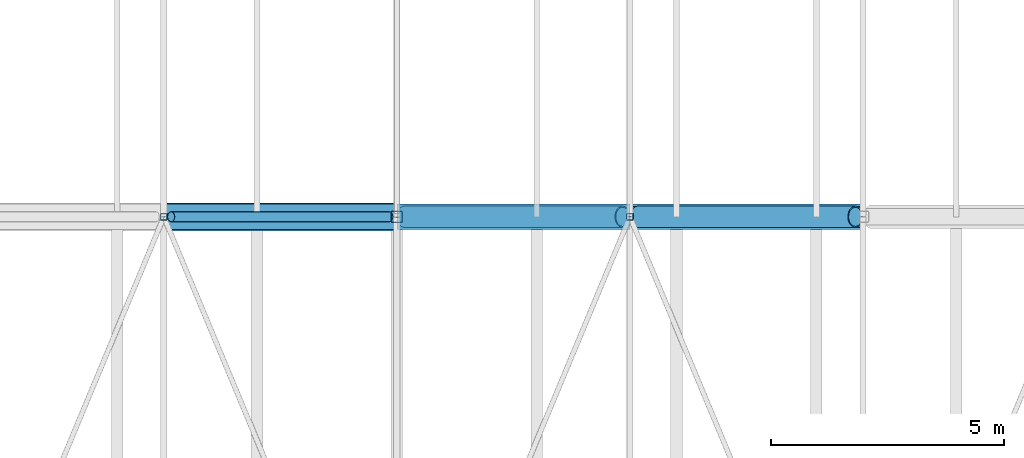
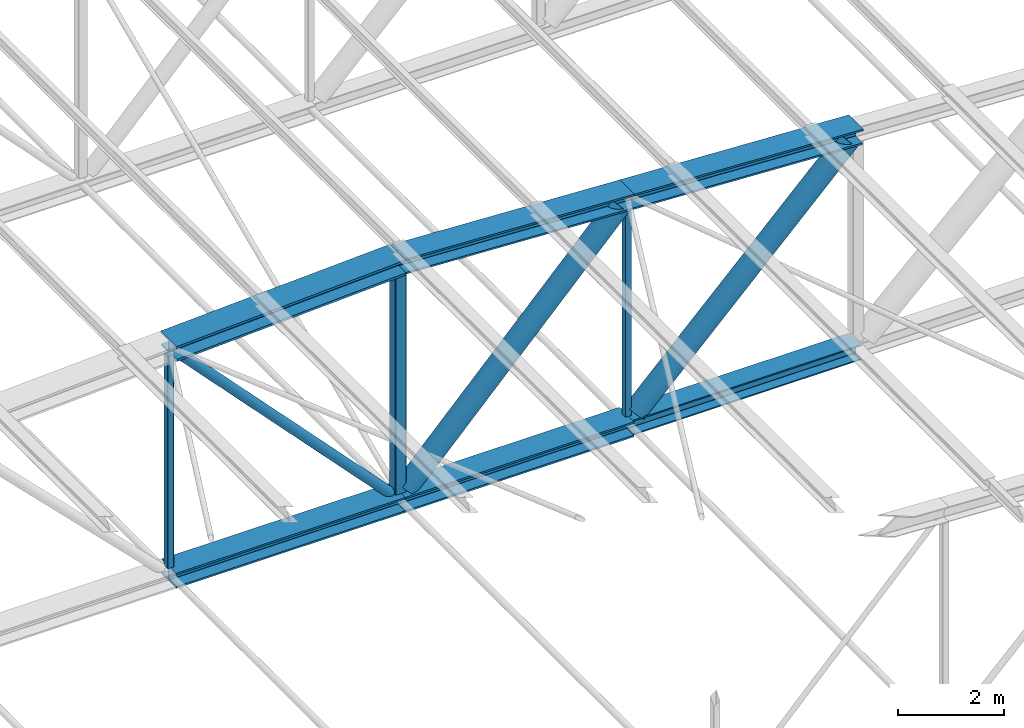
# One storey, part 72 of 156: 12 members.
"""IFC4 building model written with IfcOpenShell, lengths in metres."""

import ifcopenshell
import ifcopenshell.guid

model = None  # the IFC model being written
_history = None  # IfcOwnerHistory: only IFC2X3 demands one
_inside = {}  # id of a spatial element -> (the spatial element, [elements in it])
_under = {}  # id of a project, library or spatial element -> (it, [spatial elements below it])
_declared = {}  # id of a project -> (the project, [libraries it declares])
_typed = {}  # id of a type object -> (the type object, [elements of that type])
_made_of = {}  # id of a material, layer set ... -> (it, [elements and type objects made of it])


def new_model(schema):
    """Start an empty IFC model of exactly this schema.

    Asked for "IFC4X3", IfcOpenShell would pick the latest addendum, in which some entities
    have other attributes; the version numbers below select the first issue.
    IFC2X3 requires an IfcOwnerHistory on every rooted entity: one is made here for all.
    """
    global model, _history
    if schema == "IFC4X3":
        model = ifcopenshell.file(schema_version=(4, 3, 0, 0))
    else:
        model = ifcopenshell.file(schema=schema)
    _inside.clear()
    _under.clear()
    _declared.clear()
    _typed.clear()
    _made_of.clear()
    _history = None
    if model.schema == "IFC2X3":
        org = make("IfcOrganization", Name="unknown")
        user = make(
            "IfcPersonAndOrganization",
            ThePerson=make("IfcPerson", FamilyName="unknown"),
            TheOrganization=org,
        )
        app = make(
            "IfcApplication",
            ApplicationDeveloper=org,
            Version="unknown",
            ApplicationFullName="unknown",
            ApplicationIdentifier="unknown",
        )
        _history = make(
            "IfcOwnerHistory",
            OwningUser=user,
            OwningApplication=app,
            ChangeAction="ADDED",
            CreationDate=0,
        )
    return model


def make(cls, **values):
    """One entity of the class cls with the attributes given. An attribute that is None is left unset."""
    return model.create_entity(
        cls, **{name: value for name, value in values.items() if value is not None}
    )


def rooted(cls, **values):
    """An entity with a GlobalId (a new one), such as an element, a storey or a relation."""
    return make(cls, GlobalId=ifcopenshell.guid.new(), OwnerHistory=_history, **values)


def si_unit(unit_type, name, prefix=None):
    """IfcSIUnit, for example si_unit("LENGTHUNIT", "METRE", prefix="MILLI")."""
    return make("IfcSIUnit", UnitType=unit_type, Prefix=prefix, Name=name)


def assignment(units):
    """IfcUnitAssignment: the units of a project."""
    return None if units is None else make("IfcUnitAssignment", Units=units)


def point(xyz):
    """IfcCartesianPoint."""
    return None if xyz is None else make("IfcCartesianPoint", Coordinates=xyz)


def direction(xyz):
    """IfcDirection."""
    return None if xyz is None else make("IfcDirection", DirectionRatios=xyz)


def frame(location, z_axis=None, x_axis=None):
    """IfcAxis2Placement3D, a coordinate frame: its origin and axes. An axis left out is left unset."""
    return make(
        "IfcAxis2Placement3D",
        Location=point(location),
        Axis=direction(z_axis),
        RefDirection=direction(x_axis),
    )


def frame_2d(location, x_axis=None):
    """IfcAxis2Placement2D, a coordinate frame in the plane: its origin and x axis."""
    return make(
        "IfcAxis2Placement2D", Location=point(location), RefDirection=direction(x_axis)
    )


def origin():
    """The frame at (0, 0, 0) with its axes left unset."""
    return frame((0.0, 0.0, 0.0))


def origin_2d():
    """The frame at (0, 0) in the plane with its x axis left unset."""
    return frame_2d((0.0, 0.0))


def place(relative_to, where):
    """IfcLocalPlacement: puts the frame where relative to a parent placement (None: the world)."""
    return make(
        "IfcLocalPlacement", PlacementRelTo=relative_to, RelativePlacement=where
    )


def context(
    kind, dimensions, precision=None, world=None, true_north=None, identifier=None
):
    """IfcGeometricRepresentationContext, for example the 3D "Model" context."""
    return make(
        "IfcGeometricRepresentationContext",
        ContextIdentifier=identifier,
        ContextType=kind,
        CoordinateSpaceDimension=dimensions,
        Precision=precision,
        WorldCoordinateSystem=world,
        TrueNorth=true_north,
    )


def subcontext(parent, identifier, kind, view, scale=None):
    """IfcGeometricRepresentationSubContext, for example "Body" below "Model"."""
    return make(
        "IfcGeometricRepresentationSubContext",
        ContextIdentifier=identifier,
        ContextType=kind,
        ParentContext=parent,
        TargetScale=scale,
        TargetView=view,
    )


def project(units=None, contexts=None):
    """IfcProject with its units and contexts."""
    return rooted(
        "IfcProject",
        Name="project",
        RepresentationContexts=contexts,
        UnitsInContext=assignment(units),
    )


def spatial(cls, under=None, at=None, **own):
    """A site, building, storey or space (cls), placed at a placement, below another one or the project."""
    s = rooted(cls, ObjectPlacement=at, **own)
    if under is not None:
        _under.setdefault(under.id(), (under, []))[1].append(s)
    return s


def profile(cls, at=None, kind="AREA", **sizes):
    """A parametric profile (cls). Its sizes go by their IFC names, for example OverallWidth=200.0."""
    return make(cls, ProfileType=kind, Position=at, **sizes)


def hollow_rectangle(**sizes):
    """IfcRectangleHollowProfileDef."""
    return profile("IfcRectangleHollowProfileDef", **sizes)


def hollow_circle(**sizes):
    """IfcCircleHollowProfileDef."""
    return profile("IfcCircleHollowProfileDef", **sizes)


def i_section(**sizes):
    """IfcIShapeProfileDef."""
    return profile("IfcIShapeProfileDef", **sizes)


def extrude(swept, where, along, depth):
    """IfcExtrudedAreaSolid: the profile swept, set in the frame where, extruded along a direction by depth."""
    return make(
        "IfcExtrudedAreaSolid",
        SweptArea=swept,
        Position=where,
        ExtrudedDirection=direction(along),
        Depth=depth,
    )


def shape(context_of_items, identifier, shape_type, items):
    """IfcShapeRepresentation: the items that make up one representation, for example the "Body"."""
    return make(
        "IfcShapeRepresentation",
        ContextOfItems=context_of_items,
        RepresentationIdentifier=identifier,
        RepresentationType=shape_type,
        Items=items,
    )


def material(Name=None, Category=None):
    """IfcMaterial."""
    return make("IfcMaterial", Name=Name, Category=Category)


def material_profile(
    of_material, cross_section, Name=None, Category=None, Priority=None
):
    """IfcMaterialProfile: a cross section and its material."""
    return make(
        "IfcMaterialProfile",
        Name=Name,
        Material=of_material,
        Profile=cross_section,
        Priority=Priority,
        Category=Category,
    )


def profile_set(profiles, Name=None, composite=None):
    """IfcMaterialProfileSet."""
    return make(
        "IfcMaterialProfileSet",
        Name=Name,
        MaterialProfiles=profiles,
        CompositeProfile=composite,
    )


def made_of(thing, what):
    """Note that an element or type object is made of a material, layer set ...; save() writes the relation."""
    if what is not None:
        _made_of.setdefault(what.id(), (what, []))[1].append(thing)
    return thing


def type_object(cls, material=None, **own):
    """A type object (cls), such as IfcWallType, which elements share."""
    return made_of(rooted(cls, **own), material)


def element(
    cls,
    number,
    at=None,
    inside=None,
    cuts=None,
    type_object=None,
    material=None,
    context=None,
    identifier="Body",
    shape_type=None,
    held_by="IfcProductDefinitionShape",
    body=None,
    shapes=None,
    **own,
):
    """One element of the class cls, such as IfcWall. Its Tag is "e" and its number.

    at: its placement. inside: the storey or other place that contains it. cuts: it is an
    opening in that element (IfcRelVoidsElement). A single representation is given by context,
    identifier, shape_type and body (its items); several are given by shapes. held_by: the class
    of the entity that holds the representations. save() writes the other relations.
    """
    e = rooted(cls, Tag="e%d" % number, ObjectPlacement=at, **own)
    if body is not None:
        shapes = [shape(context, identifier, shape_type, body)]
    if shapes is not None:
        e.Representation = make(held_by, Representations=shapes)
    if inside is not None:
        _inside.setdefault(inside.id(), (inside, []))[1].append(e)
    if cuts is not None:
        rooted(
            "IfcRelVoidsElement", RelatingBuildingElement=cuts, RelatedOpeningElement=e
        )
    if type_object is not None:
        _typed.setdefault(type_object.id(), (type_object, []))[1].append(e)
    return made_of(e, material)


def aggregate(whole, parts):
    """IfcRelAggregates: a whole, such as a stair, and the parts it consists of."""
    return rooted("IfcRelAggregates", RelatingObject=whole, RelatedObjects=parts)


def save(model, path):
    """Write the relations noted so far, then the file.

    IfcRelAggregates (storeys below a building ...), IfcRelContainedInSpatialStructure (elements
    in a storey), IfcRelDefinesByType, IfcRelAssociatesMaterial and IfcRelDeclares: one each for
    every whole, place, type object, material and project.
    """
    for whole, parts in _under.values():
        aggregate(whole, parts)
    for where, things in _inside.values():
        rooted(
            "IfcRelContainedInSpatialStructure",
            RelatedElements=things,
            RelatingStructure=where,
        )
    for kind, things in _typed.values():
        rooted("IfcRelDefinesByType", RelatedObjects=things, RelatingType=kind)
    for what, things in _made_of.values():
        rooted("IfcRelAssociatesMaterial", RelatedObjects=things, RelatingMaterial=what)
    for by, libraries in _declared.values():
        rooted("IfcRelDeclares", RelatingContext=by, RelatedDefinitions=libraries)
    model.write(path)


model = new_model("IFC4")

# Units and contexts
model_context = context("Model", 3, precision=1e-05, world=origin(), true_north=direction((0.0, 1.0)))
body_context = subcontext(model_context, "Body", "Model", "MODEL_VIEW")
ifc_project = project(units=[si_unit("LENGTHUNIT", "METRE"), si_unit("AREAUNIT", "SQUARE_METRE"), si_unit("VOLUMEUNIT", "CUBIC_METRE"), si_unit("PLANEANGLEUNIT", "RADIAN"), si_unit("MASSUNIT", "GRAM", prefix="KILO")], contexts=[model_context])

# Site, building, storey
site_placement = place(None, origin())
site = spatial("IfcSite", under=ifc_project, at=site_placement, CompositionType="ELEMENT")
building_placement = place(site_placement, origin())
building = spatial("IfcBuilding", under=site, at=building_placement, Name="Lilac Gate Convention Centre", CompositionType="ELEMENT")
storey_placement = place(building_placement, frame((0.0, 0.0, 17.0)))
storey = spatial("IfcBuildingStorey", under=building, at=storey_placement, Name="L03", CompositionType="ELEMENT", Elevation=17.0)

# Members
ifc_material = material(Name="Steel Q355B", Category="steel")
ifc_material_profile_1 = material_profile(ifc_material, i_section(OverallWidth=0.449951171875, OverallDepth=0.35009765625, WebThickness=0.01611328125, FlangeThickness=0.028076171875, FilletRadius=0.008056640625, at=origin_2d()), Name="WH350x450x16x28")
ifc_profile_set_1 = profile_set([ifc_material_profile_1], Name="Steel Q355B")
member_type_1 = type_object("IfcMemberType", Name="Truss bottom chord WH350x450x16x28", PredefinedType="CHORD", material=ifc_profile_set_1)
member_1_placement = place(storey_placement, frame((65.0, 138.0, 0.0), z_axis=(1.0, 0.0, 0.0), x_axis=(0.0, 1.0, 0.0)))
element("IfcMember", 1, at=member_1_placement, inside=storey, type_object=member_type_1, Name="TB4 truss 10 bottom chord 8", PredefinedType="CHORD", context=body_context, shape_type="SweptSolid", body=[
    extrude(i_section(OverallWidth=0.449951171875, OverallDepth=0.35009765625, WebThickness=0.01611328125, FlangeThickness=0.028076171875, FilletRadius=0.008056640625, at=origin_2d()), origin(), (0.0, 0.0, 1.0), 5.0),
])
ifc_material_profile_2 = material_profile(ifc_material, i_section(OverallWidth=0.550048828125, OverallDepth=0.35009765625, WebThickness=0.02001953125, FlangeThickness=0.0400390625, FilletRadius=0.008056640625, at=origin_2d()), Name="WH350x550x20x40")
ifc_profile_set_2 = profile_set([ifc_material_profile_2], Name="Steel Q355B")
member_type_2 = type_object("IfcMemberType", Name="Truss bottom chord WH350x550x20x40", PredefinedType="CHORD", material=ifc_profile_set_2)
for number, where, z_axis, x_axis, name in (
    (2, (55.0, 138.0, 0.0), (1.0, 0.0, 0.0), (0.0, 1.0, 0.0), "TB5 truss 10 bottom chord 6"),
    (3, (60.0, 138.0, 0.0), (1.0, 0.0, 0.0), (0.0, 1.0, 0.0), "TB5 truss 10 bottom chord 7"),
):
    element("IfcMember", number, at=place(storey_placement, frame(where, z_axis=z_axis, x_axis=x_axis)), inside=storey, type_object=member_type_2, Name=name, PredefinedType="CHORD", context=body_context, shape_type="SweptSolid", body=[
        extrude(i_section(OverallWidth=0.550048828125, OverallDepth=0.35009765625, WebThickness=0.02001953125, FlangeThickness=0.0400390625, FilletRadius=0.008056640625, at=origin_2d()), origin(), (0.0, 0.0, 1.0), 5.0),
    ])
ifc_material_profile_3 = material_profile(ifc_material, hollow_circle(Radius=0.109619140625, WallThickness=0.008056640625, at=origin_2d()), Name="CHS219.1x8")
ifc_profile_set_3 = profile_set([ifc_material_profile_3], Name="Steel Q355B")
member_type_3 = type_object("IfcMemberType", Name="Truss diagonal CHS219.1x8", PredefinedType="BRACE", material=ifc_profile_set_3)
member_2_placement = place(storey_placement, frame((55.156494140625, 138.0, 5.085693359375), z_axis=(0.6896515765, 0.0, -0.724141355697), x_axis=(0.0, 1.0, 0.0)))
element("IfcMember", 4, at=member_2_placement, inside=storey, type_object=member_type_3, Name="TW3 truss 10 diagonal 6", PredefinedType="BRACE", context=body_context, shape_type="SweptSolid", body=[
    extrude(hollow_circle(Radius=0.109619140625, WallThickness=0.008056640625, at=origin_2d()), origin(), (0.0, 0.0, 1.0), 6.78125),
])
ifc_material_profile_4 = material_profile(ifc_material, hollow_circle(Radius=0.228515625, WallThickness=0.02490234375, at=origin_2d()), Name="CHS457x25")
ifc_profile_set_4 = profile_set([ifc_material_profile_4], Name="Steel Q355B")
member_type_4 = type_object("IfcMemberType", Name="Truss diagonal CHS457x25", PredefinedType="BRACE", material=ifc_profile_set_4)
member_3_placement = place(storey_placement, frame((64.843505859375, 138.0, 5.085693359375), z_axis=(-0.6896515765, 0.0, -0.724141355697), x_axis=(0.0, -1.0, 0.0)))
element("IfcMember", 5, at=member_3_placement, inside=storey, type_object=member_type_4, Name="TW8 truss 10 diagonal 7", PredefinedType="BRACE", context=body_context, shape_type="SweptSolid", body=[
    extrude(hollow_circle(Radius=0.228515625, WallThickness=0.02490234375, at=origin_2d()), origin(), (0.0, 0.0, 1.0), 6.78125),
])
member_4_placement = place(storey_placement, frame((69.835693359375, 138.0, 4.835693359375), z_axis=(-0.707106781187, 0.0, -0.707106781187), x_axis=(0.0, -1.0, 0.0)))
element("IfcMember", 6, at=member_4_placement, inside=storey, type_object=member_type_4, Name="TW8 truss 10 diagonal 8", PredefinedType="BRACE", context=body_context, shape_type="SweptSolid", body=[
    extrude(hollow_circle(Radius=0.228515625, WallThickness=0.02490234375, at=origin_2d()), origin(), (0.0, 0.0, 1.0), 6.591064453125),
])
ifc_material_profile_5 = material_profile(ifc_material, i_section(OverallWidth=0.550048828125, OverallDepth=0.35009765625, WebThickness=0.02001953125, FlangeThickness=0.0400390625, FilletRadius=0.008056640625, at=origin_2d()), Name="WH350x550x20x40")
ifc_profile_set_5 = profile_set([ifc_material_profile_5], Name="Steel Q355B")
member_type_5 = type_object("IfcMemberType", Name="Truss top chord WH350x550x20x40", PredefinedType="CHORD", material=ifc_profile_set_5)
for number, where, z_axis, x_axis, name in (
    (7, (60.0, 138.0, 5.5), (0.998752338878, 0.0, -0.049937616944), (0.0, 1.0, 0.0), "TT4 truss 10 top chord 7"),
    (8, (65.0, 138.0, 5.25), (0.998752338878, 0.0, -0.049937616944), (0.0, 1.0, 0.0), "TT4 truss 10 top chord 8"),
):
    element("IfcMember", number, at=place(storey_placement, frame(where, z_axis=z_axis, x_axis=x_axis)), inside=storey, type_object=member_type_5, Name=name, PredefinedType="CHORD", context=body_context, shape_type="SweptSolid", body=[
        extrude(i_section(OverallWidth=0.550048828125, OverallDepth=0.35009765625, WebThickness=0.02001953125, FlangeThickness=0.0400390625, FilletRadius=0.008056640625, at=origin_2d()), origin(), (0.0, 0.0, 1.0), 5.00634765625),
    ])
ifc_material_profile_6 = material_profile(ifc_material, i_section(OverallWidth=0.60009765625, OverallDepth=0.35009765625, WebThickness=0.02490234375, FlangeThickness=0.050048828125, FilletRadius=0.008056640625, at=origin_2d()), Name="WH350x600x25x50")
ifc_profile_set_6 = profile_set([ifc_material_profile_6], Name="Steel Q355B")
member_type_6 = type_object("IfcMemberType", Name="Truss top chord WH350x600x25x50", PredefinedType="CHORD", material=ifc_profile_set_6)
member_5_placement = place(storey_placement, frame((55.0, 138.0, 5.25), z_axis=(0.998752338878, 0.0, 0.049937616944), x_axis=(0.0, 1.0, 0.0)))
element("IfcMember", 9, at=member_5_placement, inside=storey, type_object=member_type_6, Name="TT5 truss 10 top chord 6", PredefinedType="CHORD", context=body_context, shape_type="SweptSolid", body=[
    extrude(i_section(OverallWidth=0.60009765625, OverallDepth=0.35009765625, WebThickness=0.02490234375, FlangeThickness=0.050048828125, FilletRadius=0.008056640625, at=origin_2d()), origin(), (0.0, 0.0, 1.0), 5.00634765625),
])
ifc_material_profile_7 = material_profile(ifc_material, hollow_rectangle(XDim=0.139892578125, YDim=0.139892578125, WallThickness=0.0048828125, InnerFilletRadius=0.0048828125, OuterFilletRadius=0.010009765625, at=origin_2d()), Name="SHS140x140x5")
ifc_profile_set_7 = profile_set([ifc_material_profile_7], Name="Steel Q355B")
member_type_7 = type_object("IfcMemberType", Name="Truss vertical SHS140x140x5", PredefinedType="STRUT", material=ifc_profile_set_7)
for number, where, z_axis, x_axis, name in (
    (10, (55.0, 138.0, 0.175048828125), (0.0, 0.0, 1.0), (1.0, 0.0, 0.0), "TV4 truss 10 vertical 6"),
    (11, (65.0, 138.0, 0.175048828125), (0.0, 0.0, 1.0), (1.0, 0.0, 0.0), "TV4 truss 10 vertical 8"),
):
    element("IfcMember", number, at=place(storey_placement, frame(where, z_axis=z_axis, x_axis=x_axis)), inside=storey, type_object=member_type_7, Name=name, PredefinedType="STRUT", context=body_context, shape_type="SweptSolid", body=[
        extrude(hollow_rectangle(XDim=0.139892578125, YDim=0.139892578125, WallThickness=0.0048828125, InnerFilletRadius=0.0048828125, OuterFilletRadius=0.010009765625, at=origin_2d()), origin(), (0.0, 0.0, 1.0), 4.899658203125),
    ])
ifc_material_profile_8 = material_profile(ifc_material, hollow_rectangle(XDim=0.25, YDim=0.25, WallThickness=0.011962890625, InnerFilletRadius=0.01806640625, OuterFilletRadius=0.030029296875, at=origin_2d()), Name="SHS250x250x12")
ifc_profile_set_8 = profile_set([ifc_material_profile_8], Name="Steel Q355B")
member_type_8 = type_object("IfcMemberType", Name="Truss vertical SHS250x250x12", PredefinedType="STRUT", material=ifc_profile_set_8)
member_6_placement = place(storey_placement, frame((60.0, 138.0, 0.175048828125), z_axis=(0.0, 0.0, 1.0), x_axis=(1.0, 0.0, 0.0)))
element("IfcMember", 12, at=member_6_placement, inside=storey, type_object=member_type_8, Name="TV5 truss 10 vertical 7", PredefinedType="STRUT", context=body_context, shape_type="SweptSolid", body=[
    extrude(hollow_rectangle(XDim=0.25, YDim=0.25, WallThickness=0.011962890625, InnerFilletRadius=0.01806640625, OuterFilletRadius=0.030029296875, at=origin_2d()), origin(), (0.0, 0.0, 1.0), 5.149658203125),
])

save(model, "model.ifc")
